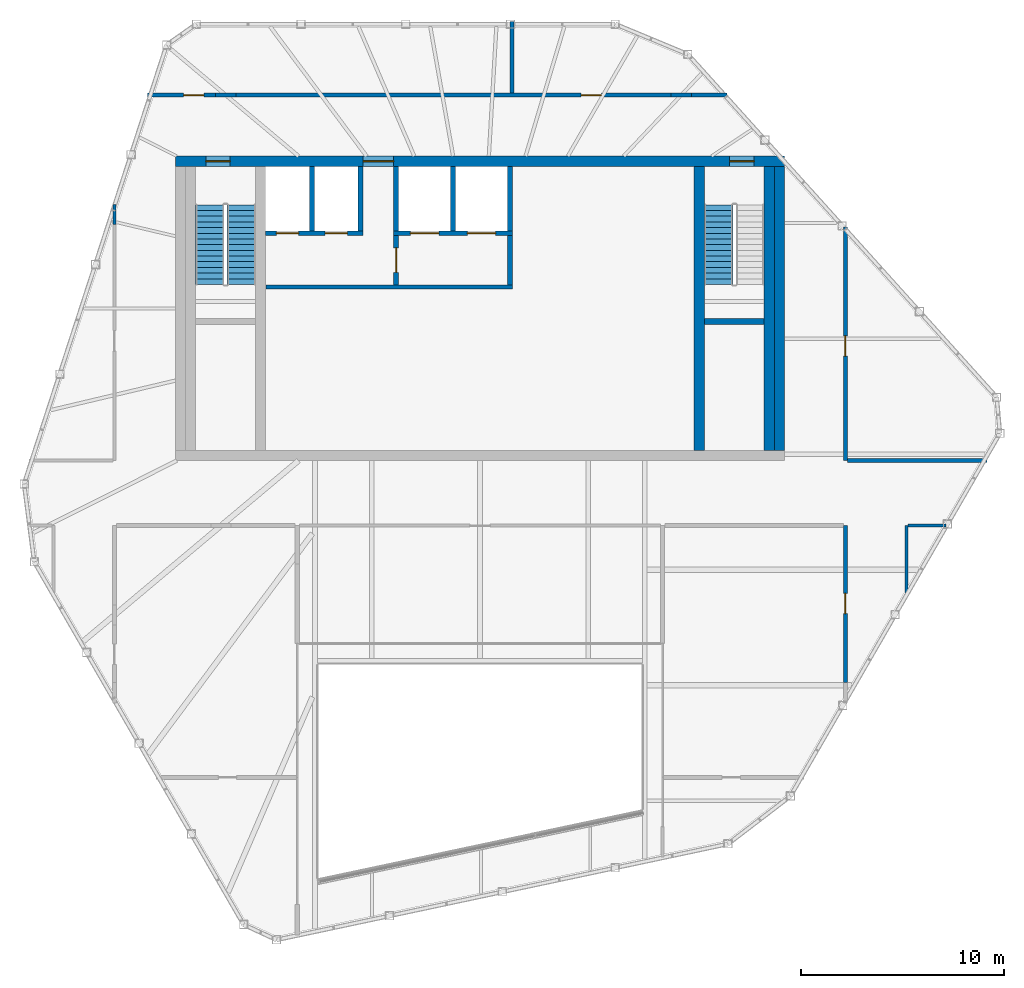
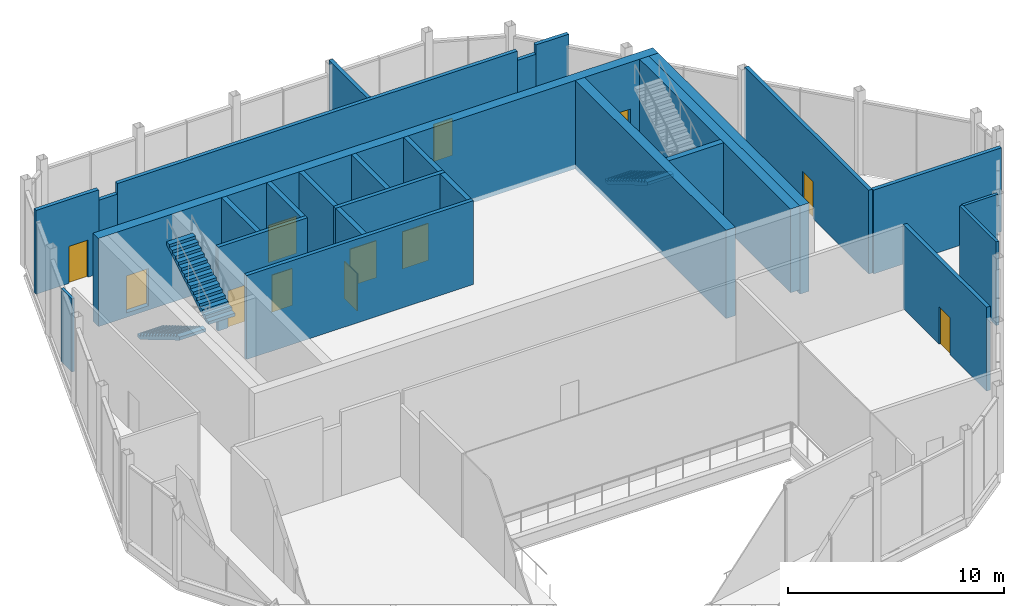
# One storey, part 9 of 12: 27 walls, 12 doors, 3 stair flights, 12 openings, 2 elements without a shape of their own.
"""IFC4 building model written with IfcOpenShell, lengths in metres."""

from ifc_helpers import new_model, si_unit, direction, frame, frame_2d, origin, place, context, subcontext, project, spatial, polyline, rectangle, outline, extrude, material, layer, layer_set, type_object, element, fill, aggregate, save


model = new_model("IFC4")

# Units and contexts
model_context = context("Model", 3, precision=1e-05, world=origin(), true_north=direction((0.0, 1.0)))
body_context = subcontext(model_context, "Body", "Model", "MODEL_VIEW")
ifc_project = project(units=[si_unit("LENGTHUNIT", "METRE"), si_unit("AREAUNIT", "SQUARE_METRE"), si_unit("VOLUMEUNIT", "CUBIC_METRE"), si_unit("PLANEANGLEUNIT", "RADIAN"), si_unit("MASSUNIT", "GRAM", prefix="KILO")], contexts=[model_context])

# Site, building, storey
site_placement = place(None, origin())
site = spatial("IfcSite", under=ifc_project, at=site_placement, CompositionType="ELEMENT")
building_placement = place(site_placement, origin())
building = spatial("IfcBuilding", under=site, at=building_placement, Name="Isthmus Gate Tower", CompositionType="ELEMENT")
storey_placement = place(building_placement, frame((0.0, 0.0, 306.10009765625)))
storey = spatial("IfcBuildingStorey", under=building, at=storey_placement, Name="C2", CompositionType="ELEMENT", Elevation=306.10009765625)

# Wall, opening, door
ifc_material_1 = material(Name="Fire-rated blockwork masonry, 15 MPa", Category="masonry")
ifc_layer_1 = layer(ifc_material_1, 0.25)
ifc_layer_set_1 = layer_set([ifc_layer_1], Name="FIRE-FIGHTING LOBBY WALL 250 90 MIN")
wall_type_1 = type_object("IfcWallType", Name="FIRE-FIGHTING LOBBY WALL 250 90 MIN", PredefinedType="PARTITIONING", material=ifc_layer_set_1)
wall_1_placement = place(storey_placement, frame((-4.125, 8.64990234375, 0.0), z_axis=(0.0, 0.0, 1.0), x_axis=(0.0, 1.0, 0.0)))
wall_1 = element("IfcWall", 1, at=wall_1_placement, inside=storey, type_object=wall_type_1, Name="C2 FIRE-FIGHTING LOBBY WALL 250 90 MIN", PredefinedType="PARTITIONING", context=body_context, shape_type="SweptSolid", body=[
    extrude(rectangle(XDim=2.4501953125, YDim=0.25, at=frame_2d((1.22509765625, 0.0))), origin(), (0.0, 0.0, 1.0), 4.75),
])
opening_1_placement = place(wall_1_placement, frame((0.625, 0.0, 0.0)))
opening_1 = element("IfcOpeningElement", 2, at=opening_1_placement, cuts=wall_1, Name="Opening DC-A23-03", PredefinedType="OPENING", context=body_context, shape_type="SweptSolid", body=[
    extrude(rectangle(XDim=1.199951171875, YDim=2.10009765625, at=frame_2d((0.60009765625, 1.050048828125))), frame((0.0, 0.135009765625, 0.0), z_axis=(0.0, -1.0, 0.0), x_axis=(1.0, 0.0, 0.0)), (0.0, 0.0, 1.0), 0.27001953125),
])
ifc_material_2 = material(Name="Steel door leaf, fire-rated", Category="steel")
door_type_1 = type_object("IfcDoorType", Name="LOBBY FIRE DOOR 1200 X 2100 90 MIN", OperationType="DOUBLE_DOOR_SINGLE_SWING", PredefinedType="DOOR", material=ifc_material_2)
door_1_placement = place(opening_1_placement, origin())
door_1 = element("IfcDoor", 3, at=door_1_placement, inside=storey, type_object=door_type_1, Name="Fire-fighting Lobby Door", OperationType="SINGLE_SWING_LEFT", OverallHeight=2.10009765625, OverallWidth=1.199951171875, PredefinedType="DOOR", context=body_context, shape_type="SweptSolid", body=[
    extrude(rectangle(XDim=1.199951171875, YDim=2.10009765625, at=frame_2d((0.60009765625, 1.050048828125))), frame((0.0, 0.02490234375, 0.0), z_axis=(0.0, -1.0, 0.0), x_axis=(1.0, 0.0, 0.0)), (0.0, 0.0, 1.0), 0.050048828125),
])
fill(opening_1, door_1)

# Wall
ifc_material_3 = material(Name="Concrete f'c 30 MPa", Category="concrete")
ifc_layer_2 = layer(ifc_material_3, 0.199951171875)
ifc_layer_set_2 = layer_set([ifc_layer_2], Name="Fire-rated block wall 200")
wall_type_2 = type_object("IfcWallType", Name="Fire-rated block wall 200", PredefinedType="PARTITIONING", material=ifc_layer_set_2)
wall_2_placement = place(storey_placement, frame((18.10009765625, 0.0, 0.0), z_axis=(0.0, 0.0, 1.0), x_axis=(1.0, 0.0, 0.0)))
element("IfcWall", 4, at=wall_2_placement, inside=storey, type_object=wall_type_2, Name="Fire-rated wall", PredefinedType="PARTITIONING", context=body_context, shape_type="SweptSolid", body=[
    extrude(rectangle(XDim=6.861328125, YDim=0.199951171875, at=frame_2d((3.4306640625, 0.0))), origin(), (0.0, 0.0, 1.0), 4.75),
])

# Wall, opening, door
wall_3_placement = place(storey_placement, frame((-16.367919921875, 18.0, 0.0), z_axis=(0.0, 0.0, 1.0), x_axis=(1.0, 0.0, 0.0)))
wall_3 = element("IfcWall", 5, at=wall_3_placement, inside=storey, type_object=wall_type_2, Name="Fire-rated wall", PredefinedType="PARTITIONING", context=body_context, shape_type="SweptSolid", body=[
    extrude(rectangle(XDim=3.3544921875, YDim=0.199951171875, at=frame_2d((1.67724609375, 0.0))), origin(), (0.0, 0.0, 1.0), 4.75),
])
opening_2_placement = place(wall_3_placement, frame((1.767822265625, 0.0, 0.0)))
opening_2 = element("IfcOpeningElement", 6, at=opening_2_placement, cuts=wall_3, Name="Opening DP78-01", PredefinedType="OPENING", context=body_context, shape_type="SweptSolid", body=[
    extrude(rectangle(XDim=1.0, YDim=2.10009765625, at=frame_2d((0.5, 1.050048828125))), frame((0.0, 0.10986328125, 0.0), z_axis=(0.0, -1.0, 0.0), x_axis=(1.0, 0.0, 0.0)), (0.0, 0.0, 1.0), 0.219970703125),
])
ifc_material_4 = material(Name="Steel fire door with intumescent seals", Category="steel")
door_type_2 = type_object("IfcDoorType", Name="Fire door 1000 x 2100", OperationType="SINGLE_SWING_LEFT", PredefinedType="DOOR", material=ifc_material_4)
door_2_placement = place(opening_2_placement, origin())
door_2 = element("IfcDoor", 7, at=door_2_placement, inside=storey, type_object=door_type_2, Name="Door DP78-01", OperationType="SINGLE_SWING_LEFT", OverallHeight=2.10009765625, OverallWidth=1.0, PredefinedType="DOOR", context=body_context, shape_type="SweptSolid", body=[
    extrude(rectangle(XDim=1.0, YDim=2.10009765625, at=frame_2d((0.5, 1.050048828125))), frame((0.0, 0.02490234375, 0.0), z_axis=(0.0, -1.0, 0.0), x_axis=(1.0, 0.0, 0.0)), (0.0, 0.0, 1.0), 0.050048828125),
])
fill(opening_2, door_2)

# Wall
wall_4_placement = place(storey_placement, frame((-13.013427734375, 18.0, 0.0), z_axis=(0.0, 0.0, 1.0), x_axis=(1.0, 0.0, 0.0)))
element("IfcWall", 8, at=wall_4_placement, inside=storey, type_object=wall_type_2, Name="Fire-rated wall", PredefinedType="PARTITIONING", context=body_context, shape_type="SweptSolid", body=[
    extrude(rectangle(XDim=1.0, YDim=0.199951171875, at=frame_2d((0.5, 0.0))), origin(), (0.0, 0.0, 1.0), 4.14990234375),
])

# Wall, opening, door
wall_5_placement = place(storey_placement, frame((-12.013427734375, 18.0, 0.0), z_axis=(0.0, 0.0, 1.0), x_axis=(1.0, 0.0, 0.0)))
wall_5 = element("IfcWall", 9, at=wall_5_placement, inside=storey, type_object=wall_type_2, Name="Fire-rated wall", PredefinedType="PARTITIONING", context=body_context, shape_type="SweptSolid", body=[
    extrude(rectangle(XDim=21.419677734375, YDim=0.199951171875, at=frame_2d((10.7099609375, 0.0))), origin(), (0.0, 0.0, 1.0), 4.75),
])
opening_3_placement = place(wall_5_placement, frame((16.99072265625, 0.0, 0.0)))
opening_3 = element("IfcOpeningElement", 10, at=opening_3_placement, cuts=wall_5, Name="Opening DP78-02", PredefinedType="OPENING", context=body_context, shape_type="SweptSolid", body=[
    extrude(rectangle(XDim=1.0, YDim=2.10009765625, at=frame_2d((0.5, 1.050048828125))), frame((0.0, 0.10986328125, 0.0), z_axis=(0.0, -1.0, 0.0), x_axis=(1.0, 0.0, 0.0)), (0.0, 0.0, 1.0), 0.219970703125),
])
door_3_placement = place(opening_3_placement, origin())
door_3 = element("IfcDoor", 11, at=door_3_placement, inside=storey, type_object=door_type_2, Name="Door DP78-02", OperationType="SINGLE_SWING_LEFT", OverallHeight=2.10009765625, OverallWidth=1.0, PredefinedType="DOOR", context=body_context, shape_type="SweptSolid", body=[
    extrude(rectangle(XDim=1.0, YDim=2.10009765625, at=frame_2d((0.5, 1.050048828125))), frame((0.0, 0.02490234375, 0.0), z_axis=(0.0, -1.0, 0.0), x_axis=(1.0, 0.0, 0.0)), (0.0, 0.0, 1.0), 0.050048828125),
])
fill(opening_3, door_3)

# Walls
wall_6_placement = place(storey_placement, frame((9.40625, 18.0, 0.0), z_axis=(0.0, 0.0, 1.0), x_axis=(1.0, 0.0, 0.0)))
element("IfcWall", 12, at=wall_6_placement, inside=storey, type_object=wall_type_2, Name="Fire-rated wall", PredefinedType="PARTITIONING", context=body_context, shape_type="SweptSolid", body=[
    extrude(rectangle(XDim=1.0, YDim=0.199951171875, at=frame_2d((0.5, 0.0))), origin(), (0.0, 0.0, 1.0), 4.22607421875),
])
wall_7_placement = place(storey_placement, frame((10.40625, 18.0, 0.0), z_axis=(0.0, 0.0, 1.0), x_axis=(1.0, 0.0, 0.0)))
element("IfcWall", 13, at=wall_7_placement, inside=storey, type_object=wall_type_2, Name="Fire-rated wall", PredefinedType="PARTITIONING", context=body_context, shape_type="SweptSolid", body=[
    extrude(rectangle(XDim=1.770751953125, YDim=0.199951171875, at=frame_2d((0.88525390625, 0.0))), origin(), (0.0, 0.0, 1.0), 4.75),
])
wall_8_placement = place(storey_placement, frame((1.576904296875, 18.10009765625, 0.0), z_axis=(0.0, 0.0, 1.0), x_axis=(0.0, 1.0, 0.0)))
element("IfcWall", 14, at=wall_8_placement, inside=storey, type_object=wall_type_2, Name="Fire-rated wall", PredefinedType="PARTITIONING", context=body_context, shape_type="SweptSolid", body=[
    extrude(rectangle(XDim=3.539794921875, YDim=0.199951171875, at=frame_2d((1.77001953125, 0.0))), origin(), (0.0, 0.0, 1.0), 4.75),
])

# Wall, opening, door
wall_9_placement = place(storey_placement, frame((18.0, -10.93310546875, 0.0), z_axis=(0.0, 0.0, 1.0), x_axis=(0.0, 1.0, 0.0)))
wall_9 = element("IfcWall", 15, at=wall_9_placement, inside=storey, type_object=wall_type_2, Name="Fire-rated wall", PredefinedType="PARTITIONING", context=body_context, shape_type="SweptSolid", body=[
    extrude(rectangle(XDim=7.733154296875, YDim=0.199951171875, at=frame_2d((3.86669921875, 0.0))), origin(), (0.0, 0.0, 1.0), 4.75),
])
opening_4_placement = place(wall_9_placement, frame((3.39990234375, 0.0, 0.0)))
opening_4 = element("IfcOpeningElement", 16, at=opening_4_placement, cuts=wall_9, Name="Opening DP78-07", PredefinedType="OPENING", context=body_context, shape_type="SweptSolid", body=[
    extrude(rectangle(XDim=1.0, YDim=2.10009765625, at=frame_2d((0.5, 1.050048828125))), frame((0.0, 0.10986328125, 0.0), z_axis=(0.0, -1.0, 0.0), x_axis=(1.0, 0.0, 0.0)), (0.0, 0.0, 1.0), 0.219970703125),
])
door_4_placement = place(opening_4_placement, origin())
door_4 = element("IfcDoor", 17, at=door_4_placement, inside=storey, type_object=door_type_2, Name="Door DP78-07", OperationType="SINGLE_SWING_LEFT", OverallHeight=2.10009765625, OverallWidth=1.0, PredefinedType="DOOR", context=body_context, shape_type="SweptSolid", body=[
    extrude(rectangle(XDim=1.0, YDim=2.10009765625, at=frame_2d((0.5, 1.050048828125))), frame((0.0, 0.02490234375, 0.0), z_axis=(0.0, -1.0, 0.0), x_axis=(1.0, 0.0, 0.0)), (0.0, 0.0, 1.0), 0.050048828125),
])
fill(opening_4, door_4)

wall_10_placement = place(storey_placement, frame((18.0, 0.0, 0.0), z_axis=(0.0, 0.0, 1.0), x_axis=(0.0, 1.0, 0.0)))
wall_10 = element("IfcWall", 18, at=wall_10_placement, inside=storey, type_object=wall_type_2, Name="Fire-rated wall", PredefinedType="PARTITIONING", context=body_context, shape_type="SweptSolid", body=[
    extrude(rectangle(XDim=11.514404296875, YDim=0.199951171875, at=frame_2d((5.75732421875, 0.0))), origin(), (0.0, 0.0, 1.0), 4.75),
])
opening_5_placement = place(wall_10_placement, frame((5.14990234375, 0.0, 0.0)))
opening_5 = element("IfcOpeningElement", 19, at=opening_5_placement, cuts=wall_10, Name="Opening DP78-04", PredefinedType="OPENING", context=body_context, shape_type="SweptSolid", body=[
    extrude(rectangle(XDim=1.0, YDim=2.10009765625, at=frame_2d((0.5, 1.050048828125))), frame((0.0, 0.10986328125, 0.0), z_axis=(0.0, -1.0, 0.0), x_axis=(1.0, 0.0, 0.0)), (0.0, 0.0, 1.0), 0.219970703125),
])
door_5_placement = place(opening_5_placement, origin())
door_5 = element("IfcDoor", 20, at=door_5_placement, inside=storey, type_object=door_type_2, Name="Door DP78-04", OperationType="SINGLE_SWING_LEFT", OverallHeight=2.10009765625, OverallWidth=1.0, PredefinedType="DOOR", context=body_context, shape_type="SweptSolid", body=[
    extrude(rectangle(XDim=1.0, YDim=2.10009765625, at=frame_2d((0.5, 1.050048828125))), frame((0.0, 0.02490234375, 0.0), z_axis=(0.0, -1.0, 0.0), x_axis=(1.0, 0.0, 0.0)), (0.0, 0.0, 1.0), 0.050048828125),
])
fill(opening_5, door_5)

# Walls
ifc_material_5 = material(Name="Gypsum board on cold-formed steel studs", Category="steel")
ifc_layer_3 = layer(ifc_material_5, 0.14990234375)
ifc_layer_set_3 = layer_set([ifc_layer_3])
wall_type_3 = type_object("IfcWallType", Name="Partition 150 gypsum board on steel studs", PredefinedType="PARTITIONING", material=ifc_layer_set_3)
wall_11_placement = place(storey_placement, frame((21.074951171875, -3.199951171875, 0.0), z_axis=(0.0, 0.0, 1.0), x_axis=(1.0, 0.0, 0.0)))
element("IfcWall", 21, at=wall_11_placement, inside=storey, type_object=wall_type_3, Name="Partition", PredefinedType="PARTITIONING", context=body_context, shape_type="SweptSolid", body=[
    extrude(rectangle(XDim=1.868896484375, YDim=0.14990234375, at=frame_2d((0.9345703125, 0.0))), origin(), (0.0, 0.0, 1.0), 4.75),
])
wall_12_placement = place(storey_placement, frame((-18.0, 11.62353515625, 0.0), z_axis=(0.0, 0.0, 1.0), x_axis=(0.0, 1.0, 0.0)))
element("IfcWall", 22, at=wall_12_placement, inside=storey, type_object=wall_type_3, Name="Partition", PredefinedType="PARTITIONING", context=body_context, shape_type="SweptSolid", body=[
    extrude(rectangle(XDim=1.0, YDim=0.14990234375, at=frame_2d((0.5, 0.0))), origin(), (0.0, 0.0, 1.0), 4.134033203125),
])
wall_13_placement = place(storey_placement, frame((21.0, -6.56689453125, 0.0), z_axis=(0.0, 0.0, 1.0), x_axis=(0.0, 1.0, 0.0)))
element("IfcWall", 23, at=wall_13_placement, inside=storey, type_object=wall_type_3, Name="Partition", PredefinedType="PARTITIONING", context=body_context, shape_type="SweptSolid", body=[
    extrude(rectangle(XDim=3.365966796875, YDim=0.14990234375, at=frame_2d((1.68310546875, 0.0))), origin(), (0.0, 0.0, 1.0), 4.75),
])
ifc_material_6 = material(Name="Concrete f'c 50 MPa", Category="concrete")
ifc_layer_4 = layer(ifc_material_6, 0.5)
ifc_layer_set_4 = layer_set([ifc_layer_4], Name="RC CORE SPINE WALL 500 F'C 50")
wall_type_4 = type_object("IfcWallType", Name="RC CORE SPINE WALL 500 F'C 50", PredefinedType="SOLIDWALL", material=ifc_layer_set_4)
wall_14_placement = place(storey_placement, frame((10.800048828125, 0.5, -0.25), z_axis=(0.0, 0.0, 1.0), x_axis=(0.0, 1.0, 0.0)))
element("IfcWall", 24, at=wall_14_placement, inside=storey, type_object=wall_type_4, Name="str-corewall-C2-SPE", PredefinedType="SOLIDWALL", context=body_context, shape_type="SweptSolid", body=[
    extrude(rectangle(XDim=14.0, YDim=0.5, at=frame_2d((7.0, 0.0))), origin(), (0.0, 0.0, 1.0), 5.0),
])

# Wall, openings, doors
ifc_material_7 = material(Name="Concrete f'c 50 MPa", Category="concrete")
ifc_layer_5 = layer(ifc_material_7, 0.5)
ifc_layer_set_5 = layer_set([ifc_layer_5], Name="RC CORE WALL 500 F'C 50")
wall_type_5 = type_object("IfcWallType", Name="RC CORE WALL 500 F'C 50", PredefinedType="SOLIDWALL", material=ifc_layer_set_5)
wall_15_placement = place(storey_placement, frame((-15.0, 14.75, -0.25), z_axis=(0.0, 0.0, 1.0), x_axis=(1.0, 0.0, 0.0)))
wall_15 = element("IfcWall", 25, at=wall_15_placement, inside=storey, type_object=wall_type_5, Name="str-corewall-C2-N", PredefinedType="SOLIDWALL", context=body_context, shape_type="SweptSolid", body=[
    extrude(rectangle(XDim=30.0, YDim=0.5, at=frame_2d((15.0, 0.0))), origin(), (0.0, 0.0, 1.0), 5.0),
])
opening_6_placement = place(wall_15_placement, frame((1.5, 0.0, 0.25)))
opening_6 = element("IfcOpeningElement", 26, at=opening_6_placement, cuts=wall_15, Name="Opening DC-A23-01", PredefinedType="OPENING", context=body_context, shape_type="SweptSolid", body=[
    extrude(rectangle(XDim=1.199951171875, YDim=2.10009765625, at=frame_2d((0.60009765625, 1.050048828125))), frame((0.0, 0.260009765625, 0.0), z_axis=(0.0, -1.0, 0.0), x_axis=(1.0, 0.0, 0.0)), (0.0, 0.0, 1.0), 0.52001953125),
])
opening_7_placement = place(wall_15_placement, frame((27.300048828125, 0.0, 0.25)))
opening_7 = element("IfcOpeningElement", 27, at=opening_7_placement, cuts=wall_15, Name="Opening DC-A23-02", PredefinedType="OPENING", context=body_context, shape_type="SweptSolid", body=[
    extrude(rectangle(XDim=1.199951171875, YDim=2.10009765625, at=frame_2d((0.60009765625, 1.050048828125))), frame((0.0, 0.260009765625, 0.0), z_axis=(0.0, -1.0, 0.0), x_axis=(1.0, 0.0, 0.0)), (0.0, 0.0, 1.0), 0.52001953125),
])
opening_8_placement = place(wall_15_placement, frame((9.25, 0.0, 0.25)))
opening_8 = element("IfcOpeningElement", 28, at=opening_8_placement, cuts=wall_15, Name="Opening DC-A23-04", PredefinedType="OPENING", context=body_context, shape_type="SweptSolid", body=[
    extrude(rectangle(XDim=1.5, YDim=2.10009765625, at=frame_2d((0.75, 1.050048828125))), frame((0.0, 0.260009765625, 0.0), z_axis=(0.0, -1.0, 0.0), x_axis=(1.0, 0.0, 0.0)), (0.0, 0.0, 1.0), 0.52001953125),
])
ifc_material_8 = material(Name="Steel door leaf, fire-rated", Category="steel")
door_type_3 = type_object("IfcDoorType", Name="LOBBY FIRE DOOR 1500 X 2100 90 MIN", OperationType="DOUBLE_DOOR_SINGLE_SWING", PredefinedType="DOOR", material=ifc_material_8)
door_6_placement = place(opening_8_placement, origin())
door_6 = element("IfcDoor", 29, at=door_6_placement, inside=storey, type_object=door_type_3, Name="Lobby Door PN-W", OperationType="DOUBLE_DOOR_SINGLE_SWING", OverallHeight=2.10009765625, OverallWidth=1.5, PredefinedType="DOOR", context=body_context, shape_type="SweptSolid", body=[
    extrude(rectangle(XDim=1.5, YDim=2.10009765625, at=frame_2d((0.75, 1.050048828125))), frame((0.0, 0.02490234375, 0.0), z_axis=(0.0, -1.0, 0.0), x_axis=(1.0, 0.0, 0.0)), (0.0, 0.0, 1.0), 0.050048828125),
])
fill(opening_8, door_6)
ifc_material_9 = material(Name="Steel door leaf, fire-rated", Category="steel")
door_type_4 = type_object("IfcDoorType", Name="STAIR FIRE DOOR 1200 X 2100 90 MIN", OperationType="SINGLE_SWING_LEFT", PredefinedType="DOOR", material=ifc_material_9)
door_7_placement = place(opening_6_placement, origin())
door_7 = element("IfcDoor", 30, at=door_7_placement, inside=storey, type_object=door_type_4, Name="Exit Stair 1 Door", OperationType="SINGLE_SWING_RIGHT", OverallHeight=2.10009765625, OverallWidth=1.199951171875, PredefinedType="DOOR", context=body_context, shape_type="SweptSolid", body=[
    extrude(rectangle(XDim=1.199951171875, YDim=2.10009765625, at=frame_2d((0.60009765625, 1.050048828125))), frame((0.0, 0.02490234375, 0.0), z_axis=(0.0, -1.0, 0.0), x_axis=(1.0, 0.0, 0.0)), (0.0, 0.0, 1.0), 0.050048828125),
])
fill(opening_6, door_7)
door_8_placement = place(opening_7_placement, origin())
door_8 = element("IfcDoor", 31, at=door_8_placement, inside=storey, type_object=door_type_4, Name="Exit Stair 2 Door", OperationType="SINGLE_SWING_LEFT", OverallHeight=2.10009765625, OverallWidth=1.199951171875, PredefinedType="DOOR", context=body_context, shape_type="SweptSolid", body=[
    extrude(rectangle(XDim=1.199951171875, YDim=2.10009765625, at=frame_2d((0.60009765625, 1.050048828125))), frame((0.0, 0.02490234375, 0.0), z_axis=(0.0, -1.0, 0.0), x_axis=(1.0, 0.0, 0.0)), (0.0, 0.0, 1.0), 0.050048828125),
])
fill(opening_7, door_8)

# Walls
wall_16_placement = place(storey_placement, frame((14.75, 0.5, -0.25), z_axis=(0.0, 0.0, 1.0), x_axis=(0.0, 1.0, 0.0)))
element("IfcWall", 32, at=wall_16_placement, inside=storey, type_object=wall_type_5, Name="str-corewall-C2-E", PredefinedType="SOLIDWALL", context=body_context, shape_type="SweptSolid", body=[
    extrude(rectangle(XDim=14.0, YDim=0.5, at=frame_2d((7.0, 0.0))), origin(), (0.0, 0.0, 1.0), 5.0),
])
ifc_material_10 = material(Name="Fire-rated blockwork masonry, 15 MPa", Category="masonry")
ifc_layer_6 = layer(ifc_material_10, 0.199951171875)
ifc_layer_set_6 = layer_set([ifc_layer_6], Name="SHAFT FRONT WALL 200 120 MIN")
wall_type_6 = type_object("IfcWallType", Name="SHAFT FRONT WALL 200 120 MIN", PredefinedType="PARTITIONING", material=ifc_layer_set_6)
wall_17_placement = place(storey_placement, frame((-10.550048828125, 8.550048828125, 0.0), z_axis=(0.0, 0.0, 1.0), x_axis=(1.0, 0.0, 0.0)))
element("IfcWall", 33, at=wall_17_placement, inside=storey, type_object=wall_type_6, Name="C2 SHAFT FRONT WALL 200 120 MIN", PredefinedType="PARTITIONING", context=body_context, shape_type="SweptSolid", body=[
    extrude(rectangle(XDim=12.150146484375, YDim=0.199951171875, at=frame_2d((6.0751953125, 0.0))), origin(), (0.0, 0.0, 1.0), 4.75),
])

# Wall, openings, doors
wall_18_placement = place(storey_placement, frame((-10.550048828125, 11.199951171875, 0.0), z_axis=(0.0, 0.0, 1.0), x_axis=(1.0, 0.0, 0.0)))
wall_18 = element("IfcWall", 34, at=wall_18_placement, inside=storey, type_object=wall_type_6, Name="C2 SHAFT FRONT WALL 200 120 MIN", PredefinedType="PARTITIONING", context=body_context, shape_type="SweptSolid", body=[
    extrude(rectangle(XDim=4.800048828125, YDim=0.199951171875, at=frame_2d((2.39990234375, 0.0))), origin(), (0.0, 0.0, 1.0), 4.75),
])
opening_9_placement = place(wall_18_placement, frame((0.52490234375, 0.0, 0.0)))
opening_9 = element("IfcOpeningElement", 35, at=opening_9_placement, cuts=wall_18, Name="Opening LD-LF1", PredefinedType="OPENING", context=body_context, shape_type="SweptSolid", body=[
    extrude(rectangle(XDim=1.10009765625, YDim=2.10009765625, at=frame_2d((0.550048828125, 1.050048828125))), frame((0.0, 0.10986328125, 0.0), z_axis=(0.0, -1.0, 0.0), x_axis=(1.0, 0.0, 0.0)), (0.0, 0.0, 1.0), 0.219970703125),
])
opening_10_placement = place(wall_18_placement, frame((2.925048828125, 0.0, 0.0)))
opening_10 = element("IfcOpeningElement", 36, at=opening_10_placement, cuts=wall_18, Name="Opening LD-LF2", PredefinedType="OPENING", context=body_context, shape_type="SweptSolid", body=[
    extrude(rectangle(XDim=1.10009765625, YDim=2.10009765625, at=frame_2d((0.550048828125, 1.050048828125))), frame((0.0, 0.10986328125, 0.0), z_axis=(0.0, -1.0, 0.0), x_axis=(1.0, 0.0, 0.0)), (0.0, 0.0, 1.0), 0.219970703125),
])
ifc_material_11 = material(Name="Stainless steel sliding leaf", Category="steel")
door_type_5 = type_object("IfcDoorType", Name="LIFT LANDING FIRE DOOR 1100 X 2100 90 MIN", OperationType="DOUBLE_DOOR_SLIDING", PredefinedType="DOOR", material=ifc_material_11)
door_9_placement = place(opening_9_placement, origin())
door_9 = element("IfcDoor", 37, at=door_9_placement, inside=storey, type_object=door_type_5, Name="Lift Landing Door LF1", OperationType="DOUBLE_DOOR_SLIDING", OverallHeight=2.10009765625, OverallWidth=1.10009765625, PredefinedType="DOOR", context=body_context, shape_type="SweptSolid", body=[
    extrude(rectangle(XDim=1.10009765625, YDim=2.10009765625, at=frame_2d((0.550048828125, 1.050048828125))), frame((0.0, 0.02490234375, 0.0), z_axis=(0.0, -1.0, 0.0), x_axis=(1.0, 0.0, 0.0)), (0.0, 0.0, 1.0), 0.050048828125),
])
fill(opening_9, door_9)
door_10_placement = place(opening_10_placement, origin())
door_10 = element("IfcDoor", 38, at=door_10_placement, inside=storey, type_object=door_type_5, Name="Lift Landing Door LF2", OperationType="DOUBLE_DOOR_SLIDING", OverallHeight=2.10009765625, OverallWidth=1.10009765625, PredefinedType="DOOR", context=body_context, shape_type="SweptSolid", body=[
    extrude(rectangle(XDim=1.10009765625, YDim=2.10009765625, at=frame_2d((0.550048828125, 1.050048828125))), frame((0.0, 0.02490234375, 0.0), z_axis=(0.0, -1.0, 0.0), x_axis=(1.0, 0.0, 0.0)), (0.0, 0.0, 1.0), 0.050048828125),
])
fill(opening_10, door_10)

wall_19_placement = place(storey_placement, frame((-4.25, 11.199951171875, 0.0), z_axis=(0.0, 0.0, 1.0), x_axis=(1.0, 0.0, 0.0)))
wall_19 = element("IfcWall", 39, at=wall_19_placement, inside=storey, type_object=wall_type_6, Name="C2 SHAFT FRONT WALL 200 120 MIN", PredefinedType="PARTITIONING", context=body_context, shape_type="SweptSolid", body=[
    extrude(rectangle(XDim=5.85009765625, YDim=0.199951171875, at=frame_2d((2.925048828125, 0.0))), origin(), (0.0, 0.0, 1.0), 4.75),
])
opening_11_placement = place(wall_19_placement, frame((0.824951171875, 0.0, 0.0)))
opening_11 = element("IfcOpeningElement", 40, at=opening_11_placement, cuts=wall_19, Name="Opening LD-LV1", PredefinedType="OPENING", context=body_context, shape_type="SweptSolid", body=[
    extrude(rectangle(XDim=1.39990234375, YDim=2.10009765625, at=frame_2d((0.699951171875, 1.050048828125))), frame((0.0, 0.10986328125, 0.0), z_axis=(0.0, -1.0, 0.0), x_axis=(1.0, 0.0, 0.0)), (0.0, 0.0, 1.0), 0.219970703125),
])
opening_12_placement = place(wall_19_placement, frame((3.625, 0.0, 0.0)))
opening_12 = element("IfcOpeningElement", 41, at=opening_12_placement, cuts=wall_19, Name="Opening LD-LV2", PredefinedType="OPENING", context=body_context, shape_type="SweptSolid", body=[
    extrude(rectangle(XDim=1.39990234375, YDim=2.10009765625, at=frame_2d((0.699951171875, 1.050048828125))), frame((0.0, 0.10986328125, 0.0), z_axis=(0.0, -1.0, 0.0), x_axis=(1.0, 0.0, 0.0)), (0.0, 0.0, 1.0), 0.219970703125),
])
ifc_material_12 = material(Name="Stainless steel sliding leaf", Category="steel")
door_type_6 = type_object("IfcDoorType", Name="LIFT LANDING FIRE DOOR 1400 X 2100 90 MIN", OperationType="DOUBLE_DOOR_SLIDING", PredefinedType="DOOR", material=ifc_material_12)
door_11_placement = place(opening_11_placement, origin())
door_11 = element("IfcDoor", 42, at=door_11_placement, inside=storey, type_object=door_type_6, Name="Lift Landing Door LV1", OperationType="DOUBLE_DOOR_SLIDING", OverallHeight=2.10009765625, OverallWidth=1.39990234375, PredefinedType="DOOR", context=body_context, shape_type="SweptSolid", body=[
    extrude(rectangle(XDim=1.39990234375, YDim=2.10009765625, at=frame_2d((0.699951171875, 1.050048828125))), frame((0.0, 0.02490234375, 0.0), z_axis=(0.0, -1.0, 0.0), x_axis=(1.0, 0.0, 0.0)), (0.0, 0.0, 1.0), 0.050048828125),
])
fill(opening_11, door_11)
door_12_placement = place(opening_12_placement, origin())
door_12 = element("IfcDoor", 43, at=door_12_placement, inside=storey, type_object=door_type_6, Name="Lift Landing Door LV2", OperationType="DOUBLE_DOOR_SLIDING", OverallHeight=2.10009765625, OverallWidth=1.39990234375, PredefinedType="DOOR", context=body_context, shape_type="SweptSolid", body=[
    extrude(rectangle(XDim=1.39990234375, YDim=2.10009765625, at=frame_2d((0.699951171875, 1.050048828125))), frame((0.0, 0.02490234375, 0.0), z_axis=(0.0, -1.0, 0.0), x_axis=(1.0, 0.0, 0.0)), (0.0, 0.0, 1.0), 0.050048828125),
])
fill(opening_12, door_12)

# Walls
ifc_material_13 = material(Name="Fire-rated blockwork masonry, 15 MPa", Category="masonry")
ifc_layer_7 = layer(ifc_material_13, 0.25)
ifc_layer_set_7 = layer_set([ifc_layer_7], Name="SHAFT WALL 250 120 MIN")
wall_type_7 = type_object("IfcWallType", Name="SHAFT WALL 250 120 MIN", PredefinedType="PARTITIONING", material=ifc_layer_set_7)
wall_20_placement = place(storey_placement, frame((1.47509765625, 8.64990234375, 0.0), z_axis=(0.0, 0.0, 1.0), x_axis=(0.0, 1.0, 0.0)))
element("IfcWall", 44, at=wall_20_placement, inside=storey, type_object=wall_type_7, Name="C2 SHAFT WALL 250 120 MIN", PredefinedType="PARTITIONING", context=body_context, shape_type="SweptSolid", body=[
    extrude(rectangle(XDim=2.4501953125, YDim=0.25, at=frame_2d((1.22509765625, 0.0))), origin(), (0.0, 0.0, 1.0), 4.75),
])
for number, where, z_axis, x_axis, name in (
    (45, (-8.27490234375, 11.300048828125, 0.0), (0.0, 0.0, 1.0), (0.0, 1.0, 0.0), "C2 SHAFT WALL 250 120 MIN"),
    (46, (-5.875, 11.300048828125, 0.0), (0.0, 0.0, 1.0), (0.0, 1.0, 0.0), "C2 SHAFT WALL 250 120 MIN"),
    (47, (-4.125, 11.300048828125, 0.0), (0.0, 0.0, 1.0), (0.0, 1.0, 0.0), "C2 SHAFT WALL 250 120 MIN"),
    (48, (-1.324951171875, 11.300048828125, 0.0), (0.0, 0.0, 1.0), (0.0, 1.0, 0.0), "C2 SHAFT WALL 250 120 MIN"),
    (49, (1.47509765625, 11.300048828125, 0.0), (0.0, 0.0, 1.0), (0.0, 1.0, 0.0), "C2 SHAFT WALL 250 120 MIN"),
):
    element("IfcWall", number, at=place(storey_placement, frame(where, z_axis=z_axis, x_axis=x_axis)), inside=storey, type_object=wall_type_7, Name=name, PredefinedType="PARTITIONING", context=body_context, shape_type="SweptSolid", body=[
        extrude(rectangle(XDim=3.199951171875, YDim=0.25, at=frame_2d((1.60009765625, 0.0))), origin(), (0.0, 0.0, 1.0), 4.75),
    ])
ifc_material_14 = material(Name="Concrete f'c 40 MPa", Category="concrete")
ifc_layer_8 = layer(ifc_material_14, 0.300048828125)
ifc_layer_set_8 = layer_set([ifc_layer_8], Name="STAIR ENCLOSURE WALL 300 180 MIN")
wall_type_8 = type_object("IfcWallType", Name="STAIR ENCLOSURE WALL 300 180 MIN", PredefinedType="SOLIDWALL", material=ifc_layer_set_8)
wall_21_placement = place(storey_placement, frame((11.050048828125, 6.85009765625, 0.0), z_axis=(0.0, 0.0, 1.0), x_axis=(1.0, 0.0, 0.0)))
element("IfcWall", 50, at=wall_21_placement, inside=storey, type_object=wall_type_8, Name="C2 STAIR ENCLOSURE WALL 300 180 MIN", PredefinedType="SOLIDWALL", context=body_context, shape_type="SweptSolid", body=[
    extrude(rectangle(XDim=2.949951171875, YDim=0.300048828125, at=frame_2d((1.47509765625, 0.0))), origin(), (0.0, 0.0, 1.0), 4.75),
])
ifc_material_15 = material(Name="Concrete f'c 40 MPa", Category="concrete")
ifc_layer_9 = layer(ifc_material_15, 0.5)
ifc_layer_set_9 = layer_set([ifc_layer_9], Name="STAIR ENCLOSURE WALL 500 180 MIN")
wall_type_9 = type_object("IfcWallType", Name="STAIR ENCLOSURE WALL 500 180 MIN", PredefinedType="SOLIDWALL", material=ifc_layer_set_9)
wall_22_placement = place(storey_placement, frame((14.25, 0.5, 0.0), z_axis=(0.0, 0.0, 1.0), x_axis=(0.0, 1.0, 0.0)))
element("IfcWall", 51, at=wall_22_placement, inside=storey, type_object=wall_type_9, Name="C2 STAIR ENCLOSURE WALL 500 180 MIN", PredefinedType="SOLIDWALL", context=body_context, shape_type="SweptSolid", body=[
    extrude(rectangle(XDim=14.0, YDim=0.5, at=frame_2d((7.0, 0.0))), origin(), (0.0, 0.0, 1.0), 4.75),
])

# Stair, stair flights
ifc_material_16 = material(Name="Concrete f'c 40 MPa", Category="concrete")
stair_type = type_object("IfcStairType", Name="CORE STAIR 30 RISERS", PredefinedType="HALF_TURN_STAIR", material=ifc_material_16)
stair_1_placement = place(storey_placement, origin())
stair_1 = element("IfcStair", 52, at=stair_1_placement, inside=storey, type_object=stair_type, Name="C2 Exit Stair 1", PredefinedType="HALF_TURN_STAIR")
ifc_material_17 = material(Name="Concrete f'c 40 MPa", Category="concrete")
stair_flight_type = type_object("IfcStairFlightType", Name="STAIR FLIGHT RC 1400", PredefinedType="STRAIGHT", material=ifc_material_17)
stair_flight_1_placement = place(storey_placement, frame((-13.300048828125, 12.60009765625, 0.0), z_axis=(0.0, 0.0, 1.0), x_axis=(0.0, -1.0, 0.0)))
stair_flight_1 = element("IfcStairFlight", 53, at=stair_flight_1_placement, type_object=stair_flight_type, Name="ST1 flight 1", NumberOfRisers=15, NumberOfTreads=14, PredefinedType="STRAIGHT", RiserHeight=0.166666667, TreadLength=0.28, context=body_context, shape_type="SweptSolid", body=[
    extrude(outline(polyline([(0.0, 0.0), (0.0, 0.166748046875), (0.280029296875, 0.166748046875), (0.280029296875, 0.333251953125), (0.56005859375, 0.333251953125), (0.56005859375, 0.5), (0.840087890625, 0.5), (0.840087890625, 0.666748046875), (1.1201171875, 0.666748046875), (1.1201171875, 0.833251953125), (1.39990234375, 0.833251953125), (1.39990234375, 1.0), (1.679931640625, 1.0), (1.679931640625, 1.166748046875), (1.9599609375, 1.166748046875), (1.9599609375, 1.333251953125), (2.239990234375, 1.333251953125), (2.239990234375, 1.5), (2.52001953125, 1.5), (2.52001953125, 1.666748046875), (2.800048828125, 1.666748046875), (2.800048828125, 1.833251953125), (3.080078125, 1.833251953125), (3.080078125, 2.0), (3.360107421875, 2.0), (3.360107421875, 2.166748046875), (3.639892578125, 2.166748046875), (3.639892578125, 2.333251953125), (3.919921875, 2.333251953125), (3.919921875, 2.5), (3.919921875, 2.158935546875), (0.29296875, 0.0), (0.0, 0.0)])), frame((0.0, 0.699951171875, 0.0), z_axis=(0.0, -1.0, 0.0), x_axis=(1.0, 0.0, 0.0)), (0.0, 0.0, 1.0), 1.39990234375),
])
stair_flight_2_placement = place(storey_placement, frame((-11.75, 8.679931640625, 2.5), z_axis=(0.0, 0.0, 1.0), x_axis=(0.0, 1.0, 0.0)))
stair_flight_2 = element("IfcStairFlight", 54, at=stair_flight_2_placement, type_object=stair_flight_type, Name="ST1 flight 2", NumberOfRisers=15, NumberOfTreads=14, PredefinedType="STRAIGHT", RiserHeight=0.166666667, TreadLength=0.28, context=body_context, shape_type="SweptSolid", body=[
    extrude(outline(polyline([(0.0, 0.0), (0.0, 0.166748046875), (0.280029296875, 0.166748046875), (0.280029296875, 0.333251953125), (0.56005859375, 0.333251953125), (0.56005859375, 0.5), (0.840087890625, 0.5), (0.840087890625, 0.666748046875), (1.1201171875, 0.666748046875), (1.1201171875, 0.833251953125), (1.39990234375, 0.833251953125), (1.39990234375, 1.0), (1.679931640625, 1.0), (1.679931640625, 1.166748046875), (1.9599609375, 1.166748046875), (1.9599609375, 1.333251953125), (2.239990234375, 1.333251953125), (2.239990234375, 1.5), (2.52001953125, 1.5), (2.52001953125, 1.666748046875), (2.800048828125, 1.666748046875), (2.800048828125, 1.833251953125), (3.080078125, 1.833251953125), (3.080078125, 2.0), (3.360107421875, 2.0), (3.360107421875, 2.166748046875), (3.639892578125, 2.166748046875), (3.639892578125, 2.333251953125), (3.919921875, 2.333251953125), (3.919921875, 2.5), (3.919921875, 2.158935546875), (0.29296875, 0.0), (0.0, 0.0)])), frame((0.0, 0.699951171875, 0.0), z_axis=(0.0, -1.0, 0.0), x_axis=(1.0, 0.0, 0.0)), (0.0, 0.0, 1.0), 1.39990234375),
])
aggregate(stair_1, [stair_flight_1, stair_flight_2])

# Stair, stair flight
stair_2_placement = place(storey_placement, origin())
stair_2 = element("IfcStair", 55, at=stair_2_placement, inside=storey, type_object=stair_type, Name="C2 Exit Stair 2", PredefinedType="HALF_TURN_STAIR")
stair_flight_3_placement = place(storey_placement, frame((11.75, 12.60009765625, 0.0), z_axis=(0.0, 0.0, 1.0), x_axis=(0.0, -1.0, 0.0)))
stair_flight_3 = element("IfcStairFlight", 56, at=stair_flight_3_placement, type_object=stair_flight_type, Name="ST2 flight 1", NumberOfRisers=15, NumberOfTreads=14, PredefinedType="STRAIGHT", RiserHeight=0.166666667, TreadLength=0.28, context=body_context, shape_type="SweptSolid", body=[
    extrude(outline(polyline([(0.0, 0.0), (0.0, 0.166748046875), (0.280029296875, 0.166748046875), (0.280029296875, 0.333251953125), (0.56005859375, 0.333251953125), (0.56005859375, 0.5), (0.840087890625, 0.5), (0.840087890625, 0.666748046875), (1.1201171875, 0.666748046875), (1.1201171875, 0.833251953125), (1.39990234375, 0.833251953125), (1.39990234375, 1.0), (1.679931640625, 1.0), (1.679931640625, 1.166748046875), (1.9599609375, 1.166748046875), (1.9599609375, 1.333251953125), (2.239990234375, 1.333251953125), (2.239990234375, 1.5), (2.52001953125, 1.5), (2.52001953125, 1.666748046875), (2.800048828125, 1.666748046875), (2.800048828125, 1.833251953125), (3.080078125, 1.833251953125), (3.080078125, 2.0), (3.360107421875, 2.0), (3.360107421875, 2.166748046875), (3.639892578125, 2.166748046875), (3.639892578125, 2.333251953125), (3.919921875, 2.333251953125), (3.919921875, 2.5), (3.919921875, 2.158935546875), (0.29296875, 0.0), (0.0, 0.0)])), frame((0.0, 0.699951171875, 0.0), z_axis=(0.0, -1.0, 0.0), x_axis=(1.0, 0.0, 0.0)), (0.0, 0.0, 1.0), 1.39990234375),
])
aggregate(stair_2, [stair_flight_3])

save(model, "model.ifc")
